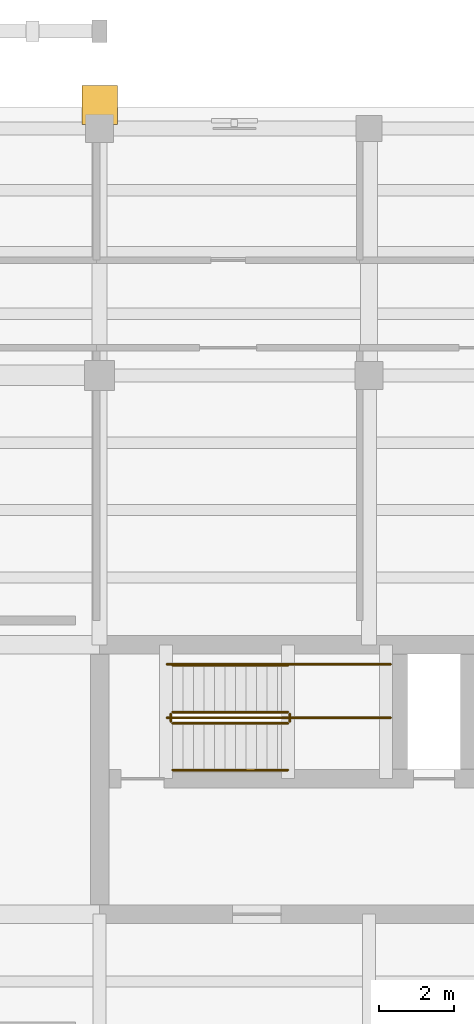
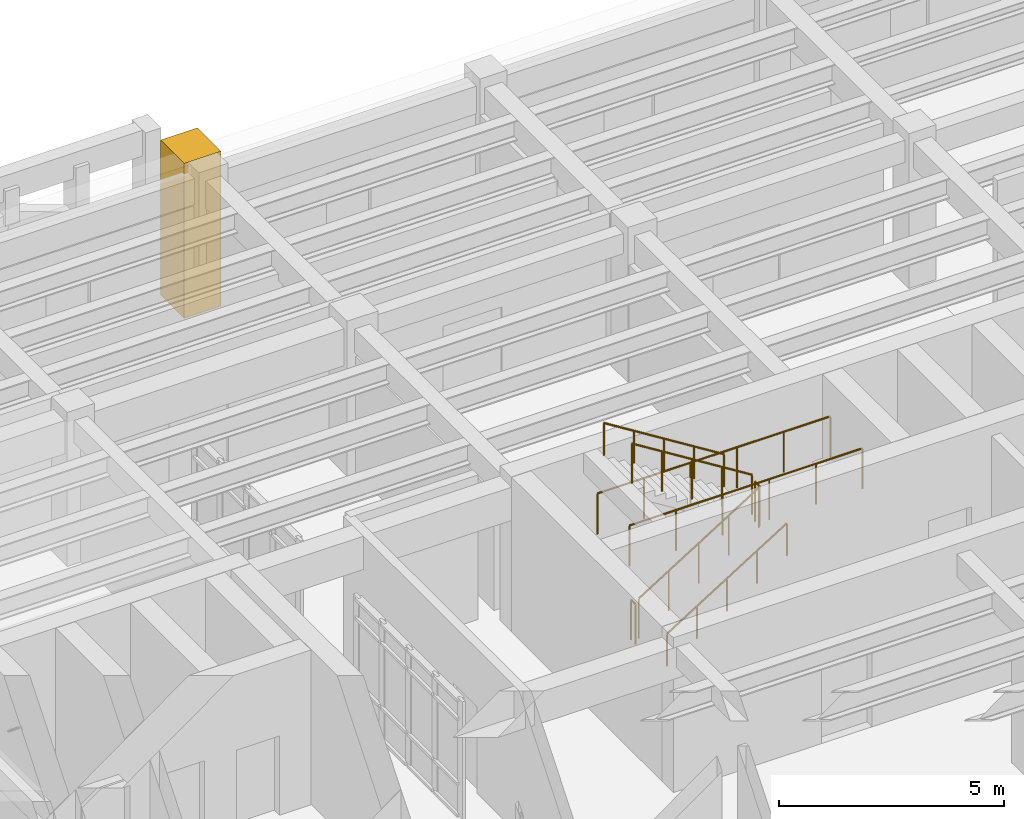
# One storey, part 75 of 76: 8 railings, 1 covering.
"""IFC4 building model written with IfcOpenShell, lengths in metres."""

from ifc_helpers import new_model, si_unit, direction, frame, origin, origin_2d, place, context, subcontext, project, spatial, rectangle, circle, extrude, material, layer, layer_set, type_object, element, save


model = new_model("IFC4")

# Units and contexts
model_context = context("Model", 3, precision=1e-05, world=origin(), true_north=direction((0.0, 1.0)))
body_context = subcontext(model_context, "Body", "Model", "MODEL_VIEW")
ifc_project = project(units=[si_unit("LENGTHUNIT", "METRE"), si_unit("AREAUNIT", "SQUARE_METRE"), si_unit("VOLUMEUNIT", "CUBIC_METRE"), si_unit("PLANEANGLEUNIT", "RADIAN"), si_unit("MASSUNIT", "GRAM", prefix="KILO")], contexts=[model_context])

# Site, building, storey
site_placement = place(None, origin())
site = spatial("IfcSite", under=ifc_project, at=site_placement, CompositionType="ELEMENT")
building_placement = place(site_placement, origin())
building = spatial("IfcBuilding", under=site, at=building_placement, Name="Mithqara Police Headquarters", CompositionType="ELEMENT")
storey_placement = place(building_placement, frame((0.0, 0.0, 5.39990234375)))
storey = spatial("IfcBuildingStorey", under=building, at=storey_placement, Name="L01", CompositionType="ELEMENT", Elevation=5.39990234375)

# Covering
ifc_material_1 = material(Name="Limestone ashlar masonry, 45 MPa", Category="masonry")
ifc_layer = layer(ifc_material_1, 0.320068359375, Name="Limestone ashlar masonry, 45 MPa")
ifc_layer_set = layer_set([ifc_layer], Name="Limestone ashlar masonry, 45 MPa")
covering_type = type_object("IfcCoveringType", Name="CORNICE LIMESTONE", PredefinedType="CLADDING", material=ifc_layer_set)
covering_placement = place(storey_placement, frame((130.199951171875, 114.6298828125, 0.0), z_axis=(0.0, 0.0, 1.0), x_axis=(1.0, 0.0, 0.0)))
element("IfcCovering", 1, at=covering_placement, inside=storey, type_object=covering_type, Name="Recessed Entrance Portal Cheek Pier E-L01", PredefinedType="CLADDING", context=body_context, shape_type="SweptSolid", body=[
    extrude(rectangle(XDim=0.949951171875, YDim=1.050048828125, at=origin_2d()), origin(), (0.0, 0.0, 1.0), 4.199951171875),
])

# Railings
ifc_material_2 = material(Name="Steel S355JR", Category="steel")
railing_type_1 = type_object("IfcRailingType", Name="HANDRAIL 920", PredefinedType="HANDRAIL", material=ifc_material_2)
railing_1_placement = place(storey_placement, frame((132.14990234375, 96.85009765625, 0.175048828125)))
element("IfcRailing", 2, at=railing_1_placement, inside=storey, type_object=railing_type_1, Name="L01 ST-02 stair handrail 1", PredefinedType="HANDRAIL", context=body_context, shape_type="SweptSolid", body=[
    extrude(circle(Radius=0.02392578125, at=origin_2d()), frame((0.0, 0.0, 0.8759765625), z_axis=(0.847998304005, 0.0, 0.529998940003), x_axis=(0.0, 1.0, 0.0)), (0.0, 0.0, 1.0), 3.632080078125),
    extrude(circle(Radius=0.02099609375, at=origin_2d()), origin(), (0.0, 0.0, 1.0), 0.851806640625),
    extrude(circle(Radius=0.02099609375, at=origin_2d()), frame((0.77001953125, 0.0, 0.481201171875)), (0.0, 0.0, 1.0), 0.851806640625),
    extrude(circle(Radius=0.02099609375, at=origin_2d()), frame((1.5400390625, 0.0, 0.96240234375)), (0.0, 0.0, 1.0), 0.851806640625),
    extrude(circle(Radius=0.02099609375, at=origin_2d()), frame((2.31005859375, 0.0, 1.44384765625)), (0.0, 0.0, 1.0), 0.851806640625),
    extrude(circle(Radius=0.02099609375, at=origin_2d()), frame((3.080078125, 0.0, 1.925048828125)), (0.0, 0.0, 1.0), 0.851806640625),
])
railing_2_placement = place(storey_placement, frame((135.22998046875, 99.64990234375, 2.275146484375)))
element("IfcRailing", 3, at=railing_2_placement, inside=storey, type_object=railing_type_1, Name="L01 ST-02 stair handrail 2", PredefinedType="HANDRAIL", context=body_context, shape_type="SweptSolid", body=[
    extrude(circle(Radius=0.02392578125, at=origin_2d()), frame((0.0, 0.0, 0.8759765625), z_axis=(-0.847998304005, 0.0, 0.529998940003), x_axis=(0.0, -1.0, 0.0)), (0.0, 0.0, 1.0), 3.632080078125),
    extrude(circle(Radius=0.02099609375, at=origin_2d()), origin(), (0.0, 0.0, 1.0), 0.851806640625),
    extrude(circle(Radius=0.02099609375, at=origin_2d()), frame((-0.77001953125, 0.0, 0.481201171875)), (0.0, 0.0, 1.0), 0.851806640625),
    extrude(circle(Radius=0.02099609375, at=origin_2d()), frame((-1.5400390625, 0.0, 0.96240234375)), (0.0, 0.0, 1.0), 0.851806640625),
    extrude(circle(Radius=0.02099609375, at=origin_2d()), frame((-2.31005859375, 0.0, 1.44384765625)), (0.0, 0.0, 1.0), 0.851806640625),
    extrude(circle(Radius=0.02099609375, at=origin_2d()), frame((-3.080078125, 0.0, 1.925048828125)), (0.0, 0.0, 1.0), 0.851806640625),
])
railing_type_2 = type_object("IfcRailingType", Name="STAIR GUARD 1120", PredefinedType="GUARDRAIL", material=ifc_material_2)
railing_3_placement = place(storey_placement, frame((132.14990234375, 98.10009765625, 0.175048828125)))
element("IfcRailing", 4, at=railing_3_placement, inside=storey, type_object=railing_type_2, Name="L01 ST-02 stair guard 1", PredefinedType="GUARDRAIL", context=body_context, shape_type="SweptSolid", body=[
    extrude(circle(Radius=0.02392578125, at=origin_2d()), frame((0.0, 0.0, 1.076171875), z_axis=(0.847998304005, 0.0, 0.529998940003), x_axis=(0.0, 1.0, 0.0)), (0.0, 0.0, 1.0), 3.632080078125),
    extrude(circle(Radius=0.02099609375, at=origin_2d()), origin(), (0.0, 0.0, 1.0), 1.052001953125),
    extrude(circle(Radius=0.02099609375, at=origin_2d()), frame((0.77001953125, 0.0, 0.481201171875)), (0.0, 0.0, 1.0), 1.052001953125),
    extrude(circle(Radius=0.02099609375, at=origin_2d()), frame((1.5400390625, 0.0, 0.96240234375)), (0.0, 0.0, 1.0), 1.052001953125),
    extrude(circle(Radius=0.02099609375, at=origin_2d()), frame((2.31005859375, 0.0, 1.44384765625)), (0.0, 0.0, 1.0), 1.052001953125),
    extrude(circle(Radius=0.02099609375, at=origin_2d()), frame((3.080078125, 0.0, 1.925048828125)), (0.0, 0.0, 1.0), 1.052001953125),
])
railing_4_placement = place(storey_placement, frame((135.280029296875, 98.14990234375, 2.10009765625)))
element("IfcRailing", 5, at=railing_4_placement, inside=storey, type_object=railing_type_2, Name="L01 ST-02 stair guard 2", PredefinedType="GUARDRAIL", context=body_context, shape_type="SweptSolid", body=[
    extrude(circle(Radius=0.02392578125, at=origin_2d()), frame((0.0, 0.0, 1.076171875), z_axis=(0.0, 1.0, 0.0), x_axis=(-1.0, 0.0, 0.0)), (0.0, 0.0, 1.0), 0.2001953125),
    extrude(circle(Radius=0.02099609375, at=origin_2d()), origin(), (0.0, 0.0, 1.0), 1.052001953125),
    extrude(circle(Radius=0.02099609375, at=origin_2d()), frame((0.0, 0.2001953125, 0.0)), (0.0, 0.0, 1.0), 1.052001953125),
])
railing_5_placement = place(storey_placement, frame((135.22998046875, 98.39990234375, 2.275146484375)))
element("IfcRailing", 6, at=railing_5_placement, inside=storey, type_object=railing_type_2, Name="L01 ST-02 stair guard 3", PredefinedType="GUARDRAIL", context=body_context, shape_type="SweptSolid", body=[
    extrude(circle(Radius=0.02392578125, at=origin_2d()), frame((0.0, 0.0, 1.076171875), z_axis=(-0.847998304005, 0.0, 0.529998940003), x_axis=(0.0, -1.0, 0.0)), (0.0, 0.0, 1.0), 3.632080078125),
    extrude(circle(Radius=0.02099609375, at=origin_2d()), origin(), (0.0, 0.0, 1.0), 1.052001953125),
    extrude(circle(Radius=0.02099609375, at=origin_2d()), frame((-0.77001953125, 0.0, 0.481201171875)), (0.0, 0.0, 1.0), 1.052001953125),
    extrude(circle(Radius=0.02099609375, at=origin_2d()), frame((-1.5400390625, 0.0, 0.96240234375)), (0.0, 0.0, 1.0), 1.052001953125),
    extrude(circle(Radius=0.02099609375, at=origin_2d()), frame((-2.31005859375, 0.0, 1.44384765625)), (0.0, 0.0, 1.0), 1.052001953125),
    extrude(circle(Radius=0.02099609375, at=origin_2d()), frame((-3.080078125, 0.0, 1.925048828125)), (0.0, 0.0, 1.0), 1.052001953125),
])
railing_6_placement = place(storey_placement, frame((132.10009765625, 98.14990234375, 0.0)))
element("IfcRailing", 7, at=railing_6_placement, inside=storey, type_object=railing_type_2, Name="L01 ST-02 stair guard 4", PredefinedType="GUARDRAIL", context=body_context, shape_type="SweptSolid", body=[
    extrude(circle(Radius=0.02392578125, at=origin_2d()), frame((0.0, 0.0, 1.076171875), z_axis=(0.0, 1.0, 0.0), x_axis=(-1.0, 0.0, 0.0)), (0.0, 0.0, 1.0), 0.2001953125),
    extrude(circle(Radius=0.02099609375, at=origin_2d()), origin(), (0.0, 0.0, 1.0), 1.052001953125),
    extrude(circle(Radius=0.02099609375, at=origin_2d()), frame((0.0, 0.2001953125, 0.0)), (0.0, 0.0, 1.0), 1.052001953125),
])
for number, where, name in (
    (8, (132.0, 98.25, 2.10009765625), "L01 ST-02 Half-Landing Guard IN"),
    (9, (132.0, 99.679931640625, 2.10009765625), "L01 ST-02 Half-Landing Guard OUT"),
):
    element("IfcRailing", number, at=place(storey_placement, frame(where)), inside=storey, type_object=railing_type_2, Name=name, PredefinedType="GUARDRAIL", context=body_context, shape_type="SweptSolid", body=[
        extrude(circle(Radius=0.02392578125, at=origin_2d()), frame((0.0, 0.0, 1.09619140625), z_axis=(1.0, 0.0, 0.0), x_axis=(0.0, 1.0, 0.0)), (0.0, 0.0, 1.0), 5.97998046875),
        extrude(circle(Radius=0.02099609375, at=origin_2d()), origin(), (0.0, 0.0, 1.0), 1.072021484375),
        extrude(circle(Radius=0.02099609375, at=origin_2d()), frame((1.196044921875, 0.0, 0.0)), (0.0, 0.0, 1.0), 1.072021484375),
        extrude(circle(Radius=0.02099609375, at=origin_2d()), frame((2.39208984375, 0.0, 0.0)), (0.0, 0.0, 1.0), 1.072021484375),
        extrude(circle(Radius=0.02099609375, at=origin_2d()), frame((3.587890625, 0.0, 0.0)), (0.0, 0.0, 1.0), 1.072021484375),
        extrude(circle(Radius=0.02099609375, at=origin_2d()), frame((4.783935546875, 0.0, 0.0)), (0.0, 0.0, 1.0), 1.072021484375),
        extrude(circle(Radius=0.02099609375, at=origin_2d()), frame((5.97998046875, 0.0, 0.0)), (0.0, 0.0, 1.0), 1.072021484375),
    ])

save(model, "model.ifc")
